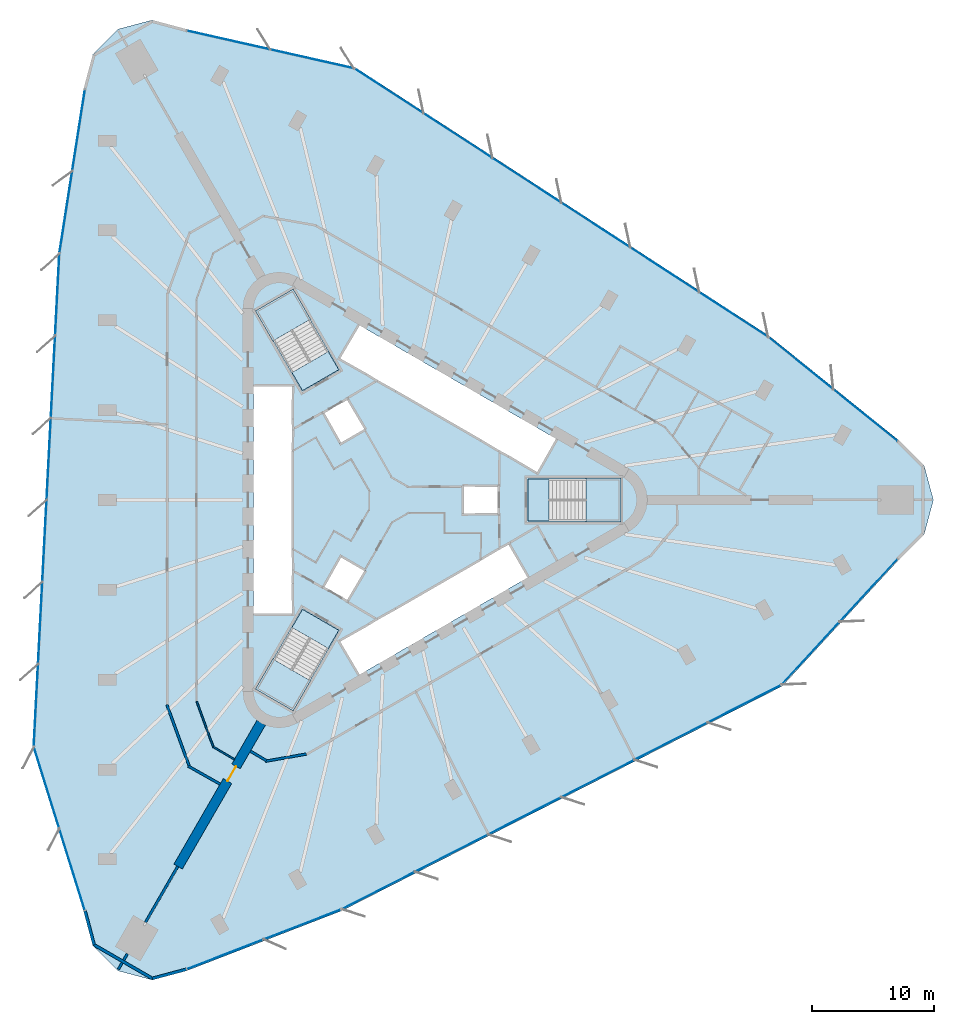
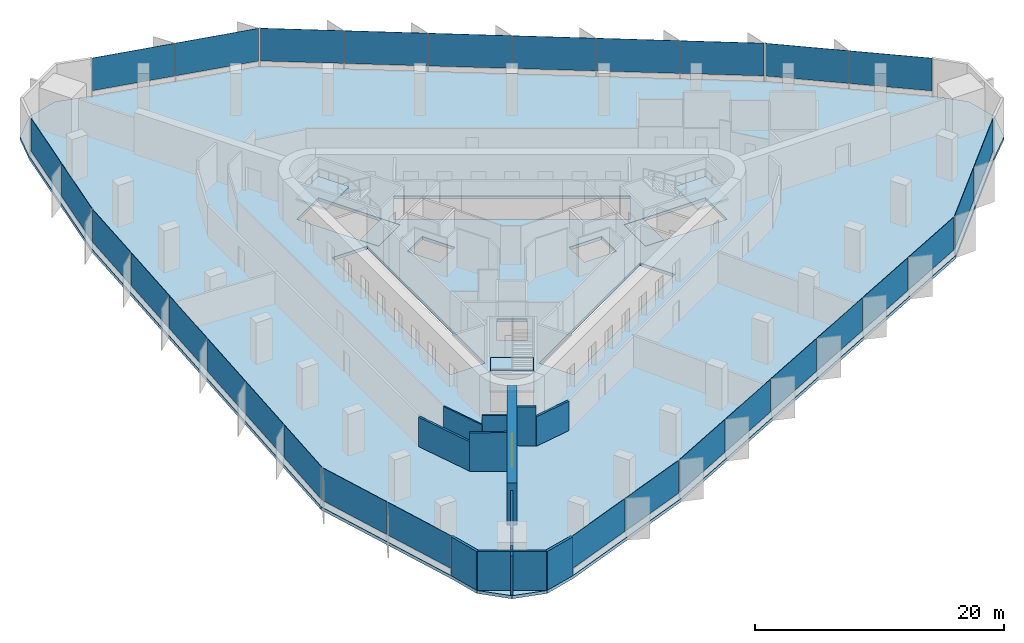
# One storey, part 8 of 14: 30 plates, 13 walls, 7 slabs, 1 door, 1 opening, 12 elements without a shape of their own.
"""IFC4 building model written with IfcOpenShell, lengths in metres."""

import ifcopenshell
import ifcopenshell.guid

model = None  # the IFC model being written
_history = None  # IfcOwnerHistory: only IFC2X3 demands one
_inside = {}  # id of a spatial element -> (the spatial element, [elements in it])
_under = {}  # id of a project, library or spatial element -> (it, [spatial elements below it])
_declared = {}  # id of a project -> (the project, [libraries it declares])
_typed = {}  # id of a type object -> (the type object, [elements of that type])
_made_of = {}  # id of a material, layer set ... -> (it, [elements and type objects made of it])


def new_model(schema):
    """Start an empty IFC model of exactly this schema.

    Asked for "IFC4X3", IfcOpenShell would pick the latest addendum, in which some entities
    have other attributes; the version numbers below select the first issue.
    IFC2X3 requires an IfcOwnerHistory on every rooted entity: one is made here for all.
    """
    global model, _history
    if schema == "IFC4X3":
        model = ifcopenshell.file(schema_version=(4, 3, 0, 0))
    else:
        model = ifcopenshell.file(schema=schema)
    _inside.clear()
    _under.clear()
    _declared.clear()
    _typed.clear()
    _made_of.clear()
    _history = None
    if model.schema == "IFC2X3":
        org = make("IfcOrganization", Name="unknown")
        user = make(
            "IfcPersonAndOrganization",
            ThePerson=make("IfcPerson", FamilyName="unknown"),
            TheOrganization=org,
        )
        app = make(
            "IfcApplication",
            ApplicationDeveloper=org,
            Version="unknown",
            ApplicationFullName="unknown",
            ApplicationIdentifier="unknown",
        )
        _history = make(
            "IfcOwnerHistory",
            OwningUser=user,
            OwningApplication=app,
            ChangeAction="ADDED",
            CreationDate=0,
        )
    return model


def make(cls, **values):
    """One entity of the class cls with the attributes given. An attribute that is None is left unset."""
    return model.create_entity(
        cls, **{name: value for name, value in values.items() if value is not None}
    )


def rooted(cls, **values):
    """An entity with a GlobalId (a new one), such as an element, a storey or a relation."""
    return make(cls, GlobalId=ifcopenshell.guid.new(), OwnerHistory=_history, **values)


def si_unit(unit_type, name, prefix=None):
    """IfcSIUnit, for example si_unit("LENGTHUNIT", "METRE", prefix="MILLI")."""
    return make("IfcSIUnit", UnitType=unit_type, Prefix=prefix, Name=name)


def assignment(units):
    """IfcUnitAssignment: the units of a project."""
    return None if units is None else make("IfcUnitAssignment", Units=units)


def point(xyz):
    """IfcCartesianPoint."""
    return None if xyz is None else make("IfcCartesianPoint", Coordinates=xyz)


def direction(xyz):
    """IfcDirection."""
    return None if xyz is None else make("IfcDirection", DirectionRatios=xyz)


def frame(location, z_axis=None, x_axis=None):
    """IfcAxis2Placement3D, a coordinate frame: its origin and axes. An axis left out is left unset."""
    return make(
        "IfcAxis2Placement3D",
        Location=point(location),
        Axis=direction(z_axis),
        RefDirection=direction(x_axis),
    )


def frame_2d(location, x_axis=None):
    """IfcAxis2Placement2D, a coordinate frame in the plane: its origin and x axis."""
    return make(
        "IfcAxis2Placement2D", Location=point(location), RefDirection=direction(x_axis)
    )


def origin():
    """The frame at (0, 0, 0) with its axes left unset."""
    return frame((0.0, 0.0, 0.0))


def origin_2d():
    """The frame at (0, 0) in the plane with its x axis left unset."""
    return frame_2d((0.0, 0.0))


def place(relative_to, where):
    """IfcLocalPlacement: puts the frame where relative to a parent placement (None: the world)."""
    return make(
        "IfcLocalPlacement", PlacementRelTo=relative_to, RelativePlacement=where
    )


def context(
    kind, dimensions, precision=None, world=None, true_north=None, identifier=None
):
    """IfcGeometricRepresentationContext, for example the 3D "Model" context."""
    return make(
        "IfcGeometricRepresentationContext",
        ContextIdentifier=identifier,
        ContextType=kind,
        CoordinateSpaceDimension=dimensions,
        Precision=precision,
        WorldCoordinateSystem=world,
        TrueNorth=true_north,
    )


def subcontext(parent, identifier, kind, view, scale=None):
    """IfcGeometricRepresentationSubContext, for example "Body" below "Model"."""
    return make(
        "IfcGeometricRepresentationSubContext",
        ContextIdentifier=identifier,
        ContextType=kind,
        ParentContext=parent,
        TargetScale=scale,
        TargetView=view,
    )


def project(units=None, contexts=None):
    """IfcProject with its units and contexts."""
    return rooted(
        "IfcProject",
        Name="project",
        RepresentationContexts=contexts,
        UnitsInContext=assignment(units),
    )


def spatial(cls, under=None, at=None, **own):
    """A site, building, storey or space (cls), placed at a placement, below another one or the project."""
    s = rooted(cls, ObjectPlacement=at, **own)
    if under is not None:
        _under.setdefault(under.id(), (under, []))[1].append(s)
    return s


def polyline(points):
    """IfcPolyline through the points."""
    return make("IfcPolyline", Points=[point(p) for p in points])


def profile(cls, at=None, kind="AREA", **sizes):
    """A parametric profile (cls). Its sizes go by their IFC names, for example OverallWidth=200.0."""
    return make(cls, ProfileType=kind, Position=at, **sizes)


def rectangle(**sizes):
    """IfcRectangleProfileDef."""
    return profile("IfcRectangleProfileDef", **sizes)


def outline(outer, holes=None, kind="AREA"):
    """IfcArbitraryClosedProfileDef: a profile drawn as a closed curve; with holes, ...WithVoids."""
    if holes is None:
        return make("IfcArbitraryClosedProfileDef", ProfileType=kind, OuterCurve=outer)
    return make(
        "IfcArbitraryProfileDefWithVoids",
        ProfileType=kind,
        OuterCurve=outer,
        InnerCurves=holes,
    )


def extrude(swept, where, along, depth):
    """IfcExtrudedAreaSolid: the profile swept, set in the frame where, extruded along a direction by depth."""
    return make(
        "IfcExtrudedAreaSolid",
        SweptArea=swept,
        Position=where,
        ExtrudedDirection=direction(along),
        Depth=depth,
    )


def shape(context_of_items, identifier, shape_type, items):
    """IfcShapeRepresentation: the items that make up one representation, for example the "Body"."""
    return make(
        "IfcShapeRepresentation",
        ContextOfItems=context_of_items,
        RepresentationIdentifier=identifier,
        RepresentationType=shape_type,
        Items=items,
    )


def material(Name=None, Category=None):
    """IfcMaterial."""
    return make("IfcMaterial", Name=Name, Category=Category)


def layer(
    of_material, thickness, ventilated=None, Name=None, Category=None, Priority=None
):
    """IfcMaterialLayer: one layer of a wall or slab, of a material (None: an air gap)."""
    return make(
        "IfcMaterialLayer",
        Material=of_material,
        LayerThickness=thickness,
        IsVentilated=ventilated,
        Name=Name,
        Category=Category,
        Priority=Priority,
    )


def layer_set(layers, Name=None):
    """IfcMaterialLayerSet."""
    return make("IfcMaterialLayerSet", MaterialLayers=layers, LayerSetName=Name)


def made_of(thing, what):
    """Note that an element or type object is made of a material, layer set ...; save() writes the relation."""
    if what is not None:
        _made_of.setdefault(what.id(), (what, []))[1].append(thing)
    return thing


def type_object(cls, material=None, **own):
    """A type object (cls), such as IfcWallType, which elements share."""
    return made_of(rooted(cls, **own), material)


def element(
    cls,
    number,
    at=None,
    inside=None,
    cuts=None,
    type_object=None,
    material=None,
    context=None,
    identifier="Body",
    shape_type=None,
    held_by="IfcProductDefinitionShape",
    body=None,
    shapes=None,
    **own,
):
    """One element of the class cls, such as IfcWall. Its Tag is "e" and its number.

    at: its placement. inside: the storey or other place that contains it. cuts: it is an
    opening in that element (IfcRelVoidsElement). A single representation is given by context,
    identifier, shape_type and body (its items); several are given by shapes. held_by: the class
    of the entity that holds the representations. save() writes the other relations.
    """
    e = rooted(cls, Tag="e%d" % number, ObjectPlacement=at, **own)
    if body is not None:
        shapes = [shape(context, identifier, shape_type, body)]
    if shapes is not None:
        e.Representation = make(held_by, Representations=shapes)
    if inside is not None:
        _inside.setdefault(inside.id(), (inside, []))[1].append(e)
    if cuts is not None:
        rooted(
            "IfcRelVoidsElement", RelatingBuildingElement=cuts, RelatedOpeningElement=e
        )
    if type_object is not None:
        _typed.setdefault(type_object.id(), (type_object, []))[1].append(e)
    return made_of(e, material)


def fill(opening, filler):
    """IfcRelFillsElement: the door or window that sits in an opening."""
    return rooted(
        "IfcRelFillsElement",
        RelatingOpeningElement=opening,
        RelatedBuildingElement=filler,
    )


def aggregate(whole, parts):
    """IfcRelAggregates: a whole, such as a stair, and the parts it consists of."""
    return rooted("IfcRelAggregates", RelatingObject=whole, RelatedObjects=parts)


def save(model, path):
    """Write the relations noted so far, then the file.

    IfcRelAggregates (storeys below a building ...), IfcRelContainedInSpatialStructure (elements
    in a storey), IfcRelDefinesByType, IfcRelAssociatesMaterial and IfcRelDeclares: one each for
    every whole, place, type object, material and project.
    """
    for whole, parts in _under.values():
        aggregate(whole, parts)
    for where, things in _inside.values():
        rooted(
            "IfcRelContainedInSpatialStructure",
            RelatedElements=things,
            RelatingStructure=where,
        )
    for kind, things in _typed.values():
        rooted("IfcRelDefinesByType", RelatedObjects=things, RelatingType=kind)
    for what, things in _made_of.values():
        rooted("IfcRelAssociatesMaterial", RelatedObjects=things, RelatingMaterial=what)
    for by, libraries in _declared.values():
        rooted("IfcRelDeclares", RelatingContext=by, RelatedDefinitions=libraries)
    model.write(path)


model = new_model("IFC4")

# Units and contexts
model_context = context("Model", 3, precision=1e-05, world=origin(), true_north=direction((0.0, 1.0)))
body_context = subcontext(model_context, "Body", "Model", "MODEL_VIEW")
ifc_project = project(units=[si_unit("LENGTHUNIT", "METRE"), si_unit("AREAUNIT", "SQUARE_METRE"), si_unit("VOLUMEUNIT", "CUBIC_METRE"), si_unit("PLANEANGLEUNIT", "RADIAN"), si_unit("MASSUNIT", "GRAM", prefix="KILO")], contexts=[model_context])

# Site, building, storey
site_placement = place(None, origin())
site = spatial("IfcSite", under=ifc_project, at=site_placement, CompositionType="ELEMENT")
building_placement = place(site_placement, origin())
building = spatial("IfcBuilding", under=site, at=building_placement, Name="Tanit Gate Tower", CompositionType="ELEMENT")
storey_placement = place(building_placement, frame((0.0, 0.0, 70.10009765625)))
storey = spatial("IfcBuildingStorey", under=building, at=storey_placement, Name="L13", CompositionType="ELEMENT", Elevation=70.10009765625)

# Slab
ifc_material_1 = material(Name="Concrete C35/45", Category="concrete")
ifc_layer_1 = layer(ifc_material_1, 0.300048828125)
ifc_layer_set_1 = layer_set([ifc_layer_1], Name="FLOOR SLAB 300 C35/45")
slab_type_1 = type_object("IfcSlabType", Name="FLOOR SLAB 300 C35/45", PredefinedType="FLOOR", material=ifc_layer_set_1)
slab_1_placement = place(storey_placement, frame((0.0, 0.0, -0.300048828125)))
element("IfcSlab", 1, at=slab_1_placement, inside=storey, type_object=slab_type_1, Name="FLOOR SLAB L13", PredefinedType="FLOOR", context=body_context, shape_type="SweptSolid", body=[
    extrude(outline(polyline([(41.88818359375, 4.897705078125), (43.958251953125, 2.82763671875), (44.716064453125, 0.0), (43.958251953125, -2.82763671875), (41.88818359375, -4.897705078125), (32.2783203125, -15.314697265625), (-3.930419921875, -33.78564453125), (-16.70263671875, -38.72509765625), (-19.5302734375, -39.48291015625), (-22.35791015625, -38.72509765625), (-24.427978515625, -36.6552734375), (-25.185791015625, -33.827392578125), (-29.40234375, -20.29638671875), (-27.294189453125, 20.29638671875), (-25.185791015625, 33.827392578125), (-24.427978515625, 36.6552734375), (-22.35791015625, 38.72509765625), (-19.5302734375, 39.48291015625), (-16.70263671875, 38.72509765625), (-2.876220703125, 35.611328125), (31.224365234375, 13.489013671875), (41.88818359375, 4.897705078125)]), holes=[polyline([(11.3701171875, 1.72998046875), (18.929931640625, 1.72998046875), (18.929931640625, -1.72998046875), (11.3701171875, -1.72998046875), (11.3701171875, 1.72998046875)]), polyline([(-4.208984375, 11.60986328125), (-2.583984375, 14.424560546875), (13.783935546875, 4.974609375), (12.158935546875, 2.159912109375), (-4.208984375, 11.60986328125)]), polyline([(-4.208984375, -11.60986328125), (9.82080078125, -3.510009765625), (11.44580078125, -6.324462890625), (-2.583984375, -14.424560546875), (-4.208984375, -11.60986328125)]), polyline([(9.0, 1.199951171875), (9.0, -1.199951171875), (6.0, -1.199951171875), (6.0, 1.199951171875), (9.0, 1.199951171875)]), polyline([(-5.539306640625, 7.194091796875), (-3.460693359375, 8.394287109375), (-1.960693359375, 5.796142578125), (-4.039306640625, 4.59619140625), (-5.539306640625, 7.194091796875)]), polyline([(-1.960693359375, -5.796142578125), (-3.460693359375, -8.394287109375), (-5.539306640625, -7.194091796875), (-4.039306640625, -4.59619140625), (-1.960693359375, -5.796142578125)]), polyline([(-10.963134765625, 15.52880859375), (-7.966796875, 17.2587890625), (-4.186767578125, 10.711669921875), (-7.18310546875, 8.981689453125), (-10.963134765625, 15.52880859375)]), polyline([(-4.186767578125, -10.711669921875), (-7.966796875, -17.2587890625), (-10.963134765625, -15.52880859375), (-7.18310546875, -8.981689453125), (-4.186767578125, -10.711669921875)]), polyline([(-11.199951171875, -9.449951171875), (-11.199951171875, 9.449951171875), (-7.949951171875, 9.449951171875), (-7.949951171875, -9.449951171875), (-11.199951171875, -9.449951171875)])]), origin(), (0.0, 0.0, 1.0), 0.300048828125),
])

# Curtain wall, plates
ifc_material_2 = material(Name="Aluminium bronze anodised and glass", Category="aluminium")
curtain_wall_type = type_object("IfcCurtainWallType", Name="Curtain wall typical low", PredefinedType="NOTDEFINED", material=ifc_material_2)
curtain_wall_1_placement = place(storey_placement, origin())
curtain_wall_1 = element("IfcCurtainWall", 2, at=curtain_wall_1_placement, inside=storey, type_object=curtain_wall_type, Name="Curtain wall L13 NE1", PredefinedType="NOTDEFINED")
ifc_material_3 = material(Name="Glass tinted", Category="glass")
ifc_layer_2 = layer(ifc_material_3, 0.031982421875)
ifc_layer_set_2 = layer_set([ifc_layer_2], Name="Glass panel 32 typical low")
plate_type = type_object("IfcPlateType", Name="Glass panel 32 typical low", PredefinedType="CURTAIN_PANEL", material=ifc_layer_set_2)
plate_1_placement = place(storey_placement, frame((39.12890625, 6.966796875, 0.60009765625), z_axis=(0.0, 0.0, 1.0), x_axis=(-0.77871831753, 0.627373717925, 0.0)))
plate_1 = element("IfcPlate", 3, at=plate_1_placement, type_object=plate_type, Name="Glass panel L13 NE1.1", PredefinedType="CURTAIN_PANEL", context=body_context, shape_type="SweptSolid", body=[
    extrude(rectangle(XDim=6.720703125, YDim=0.031982421875, at=origin_2d()), origin(), (0.0, 0.0, 1.0), 3.199951171875),
])
plate_2_placement = place(storey_placement, frame((33.8330078125, 11.2333984375, 0.60009765625), z_axis=(0.0, 0.0, 1.0), x_axis=(-0.77871831753, 0.627373717925, 0.0)))
plate_2 = element("IfcPlate", 4, at=plate_2_placement, type_object=plate_type, Name="Glass panel L13 NE1.2", PredefinedType="CURTAIN_PANEL", context=body_context, shape_type="SweptSolid", body=[
    extrude(rectangle(XDim=6.720947265625, YDim=0.031982421875, at=origin_2d()), origin(), (0.0, 0.0, 1.0), 3.199951171875),
])
aggregate(curtain_wall_1, [plate_1, plate_2])

curtain_wall_2_placement = place(storey_placement, origin())
curtain_wall_2 = element("IfcCurtainWall", 5, at=curtain_wall_2_placement, inside=storey, type_object=curtain_wall_type, Name="Curtain wall L13 NE2", PredefinedType="NOTDEFINED")
plate_3_placement = place(storey_placement, frame((28.2861328125, 15.252197265625, 0.60009765625), z_axis=(0.0, 0.0, 1.0), x_axis=(-0.838927413588, 0.544243323092, 0.0)))
plate_3 = element("IfcPlate", 6, at=plate_3_placement, type_object=plate_type, Name="Glass panel L13 NE2.1", PredefinedType="CURTAIN_PANEL", context=body_context, shape_type="SweptSolid", body=[
    extrude(rectangle(XDim=6.6767578125, YDim=0.031982421875, at=origin_2d()), origin(), (0.0, 0.0, 1.0), 3.199951171875),
])
plate_4_placement = place(storey_placement, frame((22.61767578125, 18.929443359375, 0.60009765625), z_axis=(0.0, 0.0, 1.0), x_axis=(-0.838927413588, 0.544243323092, 0.0)))
plate_4 = element("IfcPlate", 7, at=plate_4_placement, type_object=plate_type, Name="Glass panel L13 NE2.2", PredefinedType="CURTAIN_PANEL", context=body_context, shape_type="SweptSolid", body=[
    extrude(rectangle(XDim=6.6767578125, YDim=0.031982421875, at=origin_2d()), origin(), (0.0, 0.0, 1.0), 3.199951171875),
])
plate_5_placement = place(storey_placement, frame((16.949462890625, 22.606689453125, 0.60009765625), z_axis=(0.0, 0.0, 1.0), x_axis=(-0.838927413588, 0.544243323092, 0.0)))
plate_5 = element("IfcPlate", 8, at=plate_5_placement, type_object=plate_type, Name="Glass panel L13 NE2.3", PredefinedType="CURTAIN_PANEL", context=body_context, shape_type="SweptSolid", body=[
    extrude(rectangle(XDim=6.6767578125, YDim=0.031982421875, at=origin_2d()), origin(), (0.0, 0.0, 1.0), 3.199951171875),
])
plate_6_placement = place(storey_placement, frame((11.281005859375, 26.283935546875, 0.60009765625), z_axis=(0.0, 0.0, 1.0), x_axis=(-0.838927413588, 0.544243323092, 0.0)))
plate_6 = element("IfcPlate", 9, at=plate_6_placement, type_object=plate_type, Name="Glass panel L13 NE2.4", PredefinedType="CURTAIN_PANEL", context=body_context, shape_type="SweptSolid", body=[
    extrude(rectangle(XDim=6.676513671875, YDim=0.031982421875, at=origin_2d()), origin(), (0.0, 0.0, 1.0), 3.199951171875),
])
plate_7_placement = place(storey_placement, frame((5.612548828125, 29.96142578125, 0.60009765625), z_axis=(0.0, 0.0, 1.0), x_axis=(-0.838927413588, 0.544243323092, 0.0)))
plate_7 = element("IfcPlate", 10, at=plate_7_placement, type_object=plate_type, Name="Glass panel L13 NE2.5", PredefinedType="CURTAIN_PANEL", context=body_context, shape_type="SweptSolid", body=[
    extrude(rectangle(XDim=6.6767578125, YDim=0.031982421875, at=origin_2d()), origin(), (0.0, 0.0, 1.0), 3.199951171875),
])
plate_8_placement = place(storey_placement, frame((-0.0556640625, 33.638671875, 0.60009765625), z_axis=(0.0, 0.0, 1.0), x_axis=(-0.838927413588, 0.544243323092, 0.0)))
plate_8 = element("IfcPlate", 11, at=plate_8_placement, type_object=plate_type, Name="Glass panel L13 NE2.6", PredefinedType="CURTAIN_PANEL", context=body_context, shape_type="SweptSolid", body=[
    extrude(rectangle(XDim=6.6767578125, YDim=0.031982421875, at=origin_2d()), origin(), (0.0, 0.0, 1.0), 3.199951171875),
])
aggregate(curtain_wall_2, [plate_3, plate_4, plate_5, plate_6, plate_7, plate_8])

curtain_wall_3_placement = place(storey_placement, origin())
curtain_wall_3 = element("IfcCurtainWall", 12, at=curtain_wall_3_placement, inside=storey, type_object=curtain_wall_type, Name="Curtain wall L13 NE3", PredefinedType="NOTDEFINED")
plate_9_placement = place(storey_placement, frame((-6.39501953125, 36.28076171875, 0.60009765625), z_axis=(0.0, 0.0, 1.0), x_axis=(-0.975566436598, 0.219704637599, 0.0)))
plate_9 = element("IfcPlate", 13, at=plate_9_placement, type_object=plate_type, Name="Glass panel L13 NE3.1", PredefinedType="CURTAIN_PANEL", context=body_context, shape_type="SweptSolid", body=[
    extrude(rectangle(XDim=6.956787109375, YDim=0.031982421875, at=origin_2d()), origin(), (0.0, 0.0, 1.0), 3.199951171875),
])
plate_10_placement = place(storey_placement, frame((-13.259765625, 37.826904296875, 0.60009765625), z_axis=(0.0, 0.0, 1.0), x_axis=(-0.975566436598, 0.219704637599, 0.0)))
plate_10 = element("IfcPlate", 14, at=plate_10_placement, type_object=plate_type, Name="Glass panel L13 NE3.2", PredefinedType="CURTAIN_PANEL", context=body_context, shape_type="SweptSolid", body=[
    extrude(rectangle(XDim=6.956787109375, YDim=0.031982421875, at=origin_2d()), origin(), (0.0, 0.0, 1.0), 3.199951171875),
])
aggregate(curtain_wall_3, [plate_9, plate_10])

curtain_wall_4_placement = place(storey_placement, origin())
curtain_wall_4 = element("IfcCurtainWall", 15, at=curtain_wall_4_placement, inside=storey, type_object=curtain_wall_type, Name="Curtain wall L13 W1", PredefinedType="NOTDEFINED")
plate_11_placement = place(storey_placement, frame((-25.597900390625, 30.4033203125, 0.60009765625), z_axis=(0.0, 0.0, 1.0), x_axis=(-0.153962418624, -0.988076704336, 0.0)))
plate_11 = element("IfcPlate", 16, at=plate_11_placement, type_object=plate_type, Name="Glass panel L13 W1.1", PredefinedType="CURTAIN_PANEL", context=body_context, shape_type="SweptSolid", body=[
    extrude(rectangle(XDim=6.720703125, YDim=0.031982421875, at=origin_2d()), origin(), (0.0, 0.0, 1.0), 3.199951171875),
])
plate_12_placement = place(storey_placement, frame((-26.644775390625, 23.68359375, 0.60009765625), z_axis=(0.0, 0.0, 1.0), x_axis=(-0.153962418624, -0.988076704336, 0.0)))
plate_12 = element("IfcPlate", 17, at=plate_12_placement, type_object=plate_type, Name="Glass panel L13 W1.2", PredefinedType="CURTAIN_PANEL", context=body_context, shape_type="SweptSolid", body=[
    extrude(rectangle(XDim=6.720947265625, YDim=0.031982421875, at=origin_2d()), origin(), (0.0, 0.0, 1.0), 3.199951171875),
])
aggregate(curtain_wall_4, [plate_11, plate_12])

curtain_wall_5_placement = place(storey_placement, origin())
curtain_wall_5 = element("IfcCurtainWall", 18, at=curtain_wall_5_placement, inside=storey, type_object=curtain_wall_type, Name="Curtain wall L13 W2", PredefinedType="NOTDEFINED")
plate_13_placement = place(storey_placement, frame((-27.351806640625, 16.870361328125, 0.60009765625), z_axis=(0.0, 0.0, 1.0), x_axis=(-0.051864836844, -0.998654113645, 0.0)))
plate_13 = element("IfcPlate", 19, at=plate_13_placement, type_object=plate_type, Name="Glass panel L13 W2.1", PredefinedType="CURTAIN_PANEL", context=body_context, shape_type="SweptSolid", body=[
    extrude(rectangle(XDim=6.6767578125, YDim=0.031982421875, at=origin_2d()), origin(), (0.0, 0.0, 1.0), 3.199951171875),
])
plate_14_placement = place(storey_placement, frame((-27.702392578125, 10.122802734375, 0.60009765625), z_axis=(0.0, 0.0, 1.0), x_axis=(-0.051864836844, -0.998654113645, 0.0)))
plate_14 = element("IfcPlate", 20, at=plate_14_placement, type_object=plate_type, Name="Glass panel L13 W2.2", PredefinedType="CURTAIN_PANEL", context=body_context, shape_type="SweptSolid", body=[
    extrude(rectangle(XDim=6.6767578125, YDim=0.031982421875, at=origin_2d()), origin(), (0.0, 0.0, 1.0), 3.199951171875),
])
plate_15_placement = place(storey_placement, frame((-28.052734375, 3.375244140625, 0.60009765625), z_axis=(0.0, 0.0, 1.0), x_axis=(-0.051864836844, -0.998654113645, 0.0)))
plate_15 = element("IfcPlate", 21, at=plate_15_placement, type_object=plate_type, Name="Glass panel L13 W2.3", PredefinedType="CURTAIN_PANEL", context=body_context, shape_type="SweptSolid", body=[
    extrude(rectangle(XDim=6.6767578125, YDim=0.031982421875, at=origin_2d()), origin(), (0.0, 0.0, 1.0), 3.199951171875),
])
plate_16_placement = place(storey_placement, frame((-28.403076171875, -3.372314453125, 0.60009765625), z_axis=(0.0, 0.0, 1.0), x_axis=(-0.051864836844, -0.998654113645, 0.0)))
plate_16 = element("IfcPlate", 22, at=plate_16_placement, type_object=plate_type, Name="Glass panel L13 W2.4", PredefinedType="CURTAIN_PANEL", context=body_context, shape_type="SweptSolid", body=[
    extrude(rectangle(XDim=6.676513671875, YDim=0.031982421875, at=origin_2d()), origin(), (0.0, 0.0, 1.0), 3.199951171875),
])
plate_17_placement = place(storey_placement, frame((-28.753662109375, -10.119873046875, 0.60009765625), z_axis=(0.0, 0.0, 1.0), x_axis=(-0.051864836844, -0.998654113645, 0.0)))
plate_17 = element("IfcPlate", 23, at=plate_17_placement, type_object=plate_type, Name="Glass panel L13 W2.5", PredefinedType="CURTAIN_PANEL", context=body_context, shape_type="SweptSolid", body=[
    extrude(rectangle(XDim=6.6767578125, YDim=0.031982421875, at=origin_2d()), origin(), (0.0, 0.0, 1.0), 3.199951171875),
])
plate_18_placement = place(storey_placement, frame((-29.10400390625, -16.867431640625, 0.60009765625), z_axis=(0.0, 0.0, 1.0), x_axis=(-0.051864836844, -0.998654113645, 0.0)))
plate_18 = element("IfcPlate", 24, at=plate_18_placement, type_object=plate_type, Name="Glass panel L13 W2.6", PredefinedType="CURTAIN_PANEL", context=body_context, shape_type="SweptSolid", body=[
    extrude(rectangle(XDim=6.6767578125, YDim=0.031982421875, at=origin_2d()), origin(), (0.0, 0.0, 1.0), 3.199951171875),
])
aggregate(curtain_wall_5, [plate_13, plate_14, plate_15, plate_16, plate_17, plate_18])

curtain_wall_6_placement = place(storey_placement, origin())
curtain_wall_6 = element("IfcCurtainWall", 25, at=curtain_wall_6_placement, inside=storey, type_object=curtain_wall_type, Name="Curtain wall L13 W3", PredefinedType="NOTDEFINED")
plate_19_placement = place(storey_placement, frame((-28.22265625, -23.6787109375, 0.60009765625), z_axis=(0.0, 0.0, 1.0), x_axis=(0.297513420809, -0.954717635973, 0.0)))
plate_19 = element("IfcPlate", 26, at=plate_19_placement, type_object=plate_type, Name="Glass panel L13 W3.1", PredefinedType="CURTAIN_PANEL", context=body_context, shape_type="SweptSolid", body=[
    extrude(rectangle(XDim=6.956787109375, YDim=0.031982421875, at=origin_2d()), origin(), (0.0, 0.0, 1.0), 3.199951171875),
])
plate_20_placement = place(storey_placement, frame((-26.129150390625, -30.396728515625, 0.60009765625), z_axis=(0.0, 0.0, 1.0), x_axis=(0.297513420809, -0.954717635973, 0.0)))
plate_20 = element("IfcPlate", 27, at=plate_20_placement, type_object=plate_type, Name="Glass panel L13 W3.2", PredefinedType="CURTAIN_PANEL", context=body_context, shape_type="SweptSolid", body=[
    extrude(rectangle(XDim=6.956787109375, YDim=0.031982421875, at=origin_2d()), origin(), (0.0, 0.0, 1.0), 3.199951171875),
])
aggregate(curtain_wall_6, [plate_19, plate_20])

curtain_wall_7_placement = place(storey_placement, origin())
curtain_wall_7 = element("IfcCurtainWall", 28, at=curtain_wall_7_placement, inside=storey, type_object=curtain_wall_type, Name="Curtain wall L13 SE1", PredefinedType="NOTDEFINED")
plate_21_placement = place(storey_placement, frame((-13.53125, -37.369873046875, 0.60009765625), z_axis=(0.0, 0.0, 1.0), x_axis=(0.932680736155, 0.360702986411, 0.0)))
plate_21 = element("IfcPlate", 29, at=plate_21_placement, type_object=plate_type, Name="Glass panel L13 SE1.1", PredefinedType="CURTAIN_PANEL", context=body_context, shape_type="SweptSolid", body=[
    extrude(rectangle(XDim=6.720703125, YDim=0.031982421875, at=origin_2d()), origin(), (0.0, 0.0, 1.0), 3.199951171875),
])
plate_22_placement = place(storey_placement, frame((-7.188232421875, -34.9169921875, 0.60009765625), z_axis=(0.0, 0.0, 1.0), x_axis=(0.932680736155, 0.360702986411, 0.0)))
plate_22 = element("IfcPlate", 30, at=plate_22_placement, type_object=plate_type, Name="Glass panel L13 SE1.2", PredefinedType="CURTAIN_PANEL", context=body_context, shape_type="SweptSolid", body=[
    extrude(rectangle(XDim=6.720947265625, YDim=0.031982421875, at=origin_2d()), origin(), (0.0, 0.0, 1.0), 3.199951171875),
])
aggregate(curtain_wall_7, [plate_21, plate_22])

curtain_wall_8_placement = place(storey_placement, origin())
curtain_wall_8 = element("IfcCurtainWall", 31, at=curtain_wall_8_placement, inside=storey, type_object=curtain_wall_type, Name="Curtain wall L13 SE2", PredefinedType="NOTDEFINED")
plate_23_placement = place(storey_placement, frame((-0.934326171875, -32.12255859375, 0.60009765625), z_axis=(0.0, 0.0, 1.0), x_axis=(0.890792250432, 0.454410790552, 0.0)))
plate_23 = element("IfcPlate", 32, at=plate_23_placement, type_object=plate_type, Name="Glass panel L13 SE2.1", PredefinedType="CURTAIN_PANEL", context=body_context, shape_type="SweptSolid", body=[
    extrude(rectangle(XDim=6.6767578125, YDim=0.031982421875, at=origin_2d()), origin(), (0.0, 0.0, 1.0), 3.199951171875),
])
plate_24_placement = place(storey_placement, frame((5.08447265625, -29.05224609375, 0.60009765625), z_axis=(0.0, 0.0, 1.0), x_axis=(0.890792250432, 0.454410790552, 0.0)))
plate_24 = element("IfcPlate", 33, at=plate_24_placement, type_object=plate_type, Name="Glass panel L13 SE2.2", PredefinedType="CURTAIN_PANEL", context=body_context, shape_type="SweptSolid", body=[
    extrude(rectangle(XDim=6.6767578125, YDim=0.031982421875, at=origin_2d()), origin(), (0.0, 0.0, 1.0), 3.199951171875),
])
plate_25_placement = place(storey_placement, frame((11.103271484375, -25.98193359375, 0.60009765625), z_axis=(0.0, 0.0, 1.0), x_axis=(0.890792250432, 0.454410790552, 0.0)))
plate_25 = element("IfcPlate", 34, at=plate_25_placement, type_object=plate_type, Name="Glass panel L13 SE2.3", PredefinedType="CURTAIN_PANEL", context=body_context, shape_type="SweptSolid", body=[
    extrude(rectangle(XDim=6.6767578125, YDim=0.031982421875, at=origin_2d()), origin(), (0.0, 0.0, 1.0), 3.199951171875),
])
plate_26_placement = place(storey_placement, frame((17.1220703125, -22.91162109375, 0.60009765625), z_axis=(0.0, 0.0, 1.0), x_axis=(0.890792250432, 0.454410790552, 0.0)))
plate_26 = element("IfcPlate", 35, at=plate_26_placement, type_object=plate_type, Name="Glass panel L13 SE2.4", PredefinedType="CURTAIN_PANEL", context=body_context, shape_type="SweptSolid", body=[
    extrude(rectangle(XDim=6.676513671875, YDim=0.031982421875, at=origin_2d()), origin(), (0.0, 0.0, 1.0), 3.199951171875),
])
plate_27_placement = place(storey_placement, frame((23.140869140625, -19.84130859375, 0.60009765625), z_axis=(0.0, 0.0, 1.0), x_axis=(0.890792250432, 0.454410790552, 0.0)))
plate_27 = element("IfcPlate", 36, at=plate_27_placement, type_object=plate_type, Name="Glass panel L13 SE2.5", PredefinedType="CURTAIN_PANEL", context=body_context, shape_type="SweptSolid", body=[
    extrude(rectangle(XDim=6.6767578125, YDim=0.031982421875, at=origin_2d()), origin(), (0.0, 0.0, 1.0), 3.199951171875),
])
plate_28_placement = place(storey_placement, frame((29.15966796875, -16.77099609375, 0.60009765625), z_axis=(0.0, 0.0, 1.0), x_axis=(0.890792250432, 0.454410790552, 0.0)))
plate_28 = element("IfcPlate", 37, at=plate_28_placement, type_object=plate_type, Name="Glass panel L13 SE2.6", PredefinedType="CURTAIN_PANEL", context=body_context, shape_type="SweptSolid", body=[
    extrude(rectangle(XDim=6.6767578125, YDim=0.031982421875, at=origin_2d()), origin(), (0.0, 0.0, 1.0), 3.199951171875),
])
aggregate(curtain_wall_8, [plate_23, plate_24, plate_25, plate_26, plate_27, plate_28])

curtain_wall_9_placement = place(storey_placement, origin())
curtain_wall_9 = element("IfcCurtainWall", 38, at=curtain_wall_9_placement, inside=storey, type_object=curtain_wall_type, Name="Curtain wall L13 SE3", PredefinedType="NOTDEFINED")
plate_29_placement = place(storey_placement, frame((34.61767578125, -12.602294921875, 0.60009765625), z_axis=(0.0, 0.0, 1.0), x_axis=(0.678053015789, 0.735012998374, 0.0)))
plate_29 = element("IfcPlate", 39, at=plate_29_placement, type_object=plate_type, Name="Glass panel L13 SE3.1", PredefinedType="CURTAIN_PANEL", context=body_context, shape_type="SweptSolid", body=[
    extrude(rectangle(XDim=6.956787109375, YDim=0.031982421875, at=origin_2d()), origin(), (0.0, 0.0, 1.0), 3.199951171875),
])
plate_30_placement = place(storey_placement, frame((39.388916015625, -7.429931640625, 0.60009765625), z_axis=(0.0, 0.0, 1.0), x_axis=(0.678053015789, 0.735012998374, 0.0)))
plate_30 = element("IfcPlate", 40, at=plate_30_placement, type_object=plate_type, Name="Glass panel L13 SE3.2", PredefinedType="CURTAIN_PANEL", context=body_context, shape_type="SweptSolid", body=[
    extrude(rectangle(XDim=6.956787109375, YDim=0.031982421875, at=origin_2d()), origin(), (0.0, 0.0, 1.0), 3.199951171875),
])
aggregate(curtain_wall_9, [plate_29, plate_30])

# Stair, slab
ifc_material_4 = material(Name="Concrete C40/50", Category="concrete")
stair_type = type_object("IfcStairType", Name="INT-STAIR-EXIT", PredefinedType="HALF_TURN_STAIR", material=ifc_material_4)
stair_1_placement = place(storey_placement, origin())
stair_1 = element("IfcStair", 41, at=stair_1_placement, inside=storey, type_object=stair_type, Name="L13 STAIR S1", PredefinedType="HALF_TURN_STAIR")
ifc_material_5 = material(Name="Concrete C40/50", Category="concrete")
ifc_layer_3 = layer(ifc_material_5, 0.199951171875)
ifc_layer_set_3 = layer_set([ifc_layer_3], Name="INT-STAIR-LANDING")
slab_type_2 = type_object("IfcSlabType", Name="INT-STAIR-LANDING", PredefinedType="LANDING", material=ifc_layer_set_3)
slab_2_placement = place(storey_placement, frame((0.0, 0.0, 1.849853515625)))
slab_2 = element("IfcSlab", 42, at=slab_2_placement, type_object=slab_type_2, Name="S1 landing 1", PredefinedType="LANDING", context=body_context, shape_type="SweptSolid", body=[
    extrude(outline(polyline([(16.135986328125, -1.800048828125), (19.0, -1.800048828125), (19.0, 1.800048828125), (16.135986328125, 1.800048828125), (16.135986328125, -1.800048828125)])), origin(), (0.0, 0.0, 1.0), 0.199951171875),
])
aggregate(stair_1, [slab_2])

# Slab
slab_3_placement = place(storey_placement, frame((0.0, 0.0, -0.2001953125)))
element("IfcSlab", 43, at=slab_3_placement, inside=storey, type_object=slab_type_2, Name="S1 floor landing", PredefinedType="LANDING", context=body_context, shape_type="SweptSolid", body=[
    extrude(outline(polyline([(11.3798828125, -1.719970703125), (13.10498046875, -1.719970703125), (13.10498046875, 1.719970703125), (11.3798828125, 1.719970703125), (11.3798828125, -1.719970703125)])), origin(), (0.0, 0.0, 1.0), 0.2001953125),
])

# Stair, slab
stair_2_placement = place(storey_placement, origin())
stair_2 = element("IfcStair", 44, at=stair_2_placement, inside=storey, type_object=stair_type, Name="L13 STAIR S2", PredefinedType="HALF_TURN_STAIR")
slab_4_placement = place(storey_placement, frame((0.0, 0.0, 1.849853515625)))
slab_4 = element("IfcSlab", 45, at=slab_4_placement, type_object=slab_type_2, Name="S2 landing 1", PredefinedType="LANDING", context=body_context, shape_type="SweptSolid", body=[
    extrude(outline(polyline([(-6.5078125, 14.871826171875), (-7.941162109375, 17.3544921875), (-11.058837890625, 15.554443359375), (-9.62548828125, 13.07177734375), (-6.5078125, 14.871826171875)])), origin(), (0.0, 0.0, 1.0), 0.199951171875),
])
aggregate(stair_2, [slab_4])

# Slab
slab_5_placement = place(storey_placement, frame((0.0, 0.0, -0.2001953125)))
element("IfcSlab", 46, at=slab_5_placement, inside=storey, type_object=slab_type_2, Name="S2 floor landing", PredefinedType="LANDING", context=body_context, shape_type="SweptSolid", body=[
    extrude(outline(polyline([(-4.200439453125, 10.71533203125), (-5.0625, 12.20849609375), (-8.04150390625, 10.48828125), (-7.179443359375, 8.995361328125), (-4.200439453125, 10.71533203125)])), origin(), (0.0, 0.0, 1.0), 0.2001953125),
])

# Stair, slab
stair_3_placement = place(storey_placement, origin())
stair_3 = element("IfcStair", 47, at=stair_3_placement, inside=storey, type_object=stair_type, Name="L13 STAIR S3", PredefinedType="HALF_TURN_STAIR")
slab_6_placement = place(storey_placement, frame((0.0, 0.0, 1.849853515625)))
slab_6 = element("IfcSlab", 48, at=slab_6_placement, type_object=slab_type_2, Name="S3 landing 1", PredefinedType="LANDING", context=body_context, shape_type="SweptSolid", body=[
    extrude(outline(polyline([(-9.626953125, -13.07421875), (-11.058837890625, -15.554443359375), (-7.941162109375, -17.3544921875), (-6.509033203125, -14.874267578125), (-9.626953125, -13.07421875)])), origin(), (0.0, 0.0, 1.0), 0.199951171875),
])
aggregate(stair_3, [slab_6])

# Slab
slab_7_placement = place(storey_placement, frame((0.0, 0.0, -0.2001953125)))
element("IfcSlab", 49, at=slab_7_placement, inside=storey, type_object=slab_type_2, Name="S3 floor landing", PredefinedType="LANDING", context=body_context, shape_type="SweptSolid", body=[
    extrude(outline(polyline([(-7.179443359375, -8.995361328125), (-8.0419921875, -10.4892578125), (-5.06298828125, -12.209228515625), (-4.200439453125, -10.71533203125), (-7.179443359375, -8.995361328125)])), origin(), (0.0, 0.0, 1.0), 0.2001953125),
])

# Wall, opening, door
ifc_material_6 = material(Name="Concrete C60/75", Category="concrete")
ifc_layer_4 = layer(ifc_material_6, 0.800048828125)
ifc_layer_set_4 = layer_set([ifc_layer_4], Name="BUTTRESS FIN 800 C60/75")
wall_type_1 = type_object("IfcWallType", Name="BUTTRESS FIN 800 C60/75", PredefinedType="SHEAR", material=ifc_layer_set_4)
wall_1_placement = place(storey_placement, frame((-10.574951171875, -18.31640625, 0.0), z_axis=(0.0, 0.0, 1.0), x_axis=(-0.499998162141, -0.86602646487, 0.0)))
wall_1 = element("IfcWall", 50, at=wall_1_placement, inside=storey, type_object=wall_type_1, Name="BUTTRESS FIN", PredefinedType="SHEAR", context=body_context, shape_type="SweptSolid", body=[
    extrude(rectangle(XDim=13.66943359375, YDim=0.800048828125, at=frame_2d((6.834716796875, 0.0))), origin(), (0.0, 0.0, 1.0), 4.099853515625),
])
opening_placement = place(wall_1_placement, frame((4.14990234375, 0.0, 0.0)))
opening = element("IfcOpeningElement", 51, at=opening_placement, cuts=wall_1, Name="Opening P14-S02-F-SW-1", PredefinedType="OPENING", context=body_context, shape_type="SweptSolid", body=[
    extrude(rectangle(XDim=1.39990234375, YDim=2.39990234375, at=frame_2d((0.699951171875, 1.199951171875))), frame((0.0, 0.41015625, 0.0), z_axis=(0.0, -1.0, 0.0), x_axis=(1.0, 0.0, 0.0)), (0.0, 0.0, 1.0), 0.820068359375),
])
ifc_material_7 = material(Name="Timber door leaf", Category="wood")
door_type = type_object("IfcDoorType", Name="INT-DOOR-FIN-PAIR-1400", OperationType="NOTDEFINED", PredefinedType="NOTDEFINED", material=ifc_material_7)
door_placement = place(opening_placement, origin())
door = element("IfcDoor", 52, at=door_placement, inside=storey, type_object=door_type, Name="Door P14-S02-F-SW-1", OperationType="DOUBLE_DOOR_SINGLE_SWING", OverallHeight=2.39990234375, OverallWidth=1.39990234375, PredefinedType="NOTDEFINED", context=body_context, shape_type="SweptSolid", body=[
    extrude(rectangle(XDim=1.39990234375, YDim=2.39990234375, at=frame_2d((0.699951171875, 1.199951171875))), frame((0.0, 0.02490234375, 0.0), z_axis=(0.0, -1.0, 0.0), x_axis=(1.0, 0.0, 0.0)), (0.0, 0.0, 1.0), 0.050048828125),
])
fill(opening, door)

# Walls
ifc_material_8 = material(Name="Concrete C30/37 with bronze anodised aluminium cladding", Category="concrete")
ifc_layer_5 = layer(ifc_material_8, 0.239990234375)
ifc_layer_set_5 = layer_set([ifc_layer_5], Name="Facade wall bronze clad 240")
wall_type_2 = type_object("IfcWallType", Name="Facade wall bronze clad 240", PredefinedType="SOLIDWALL", material=ifc_layer_set_5)
wall_2_placement = place(storey_placement, frame((-25.0703125, -33.794189453125, 0.0), z_axis=(0.0, 0.0, 1.0), x_axis=(0.258837161991, -0.965920971701, 0.0)))
element("IfcWall", 53, at=wall_2_placement, inside=storey, type_object=wall_type_2, Name="Bronze-clad facade wall L13 SW.arc1", PredefinedType="SOLIDWALL", context=body_context, shape_type="SweptSolid", body=[
    extrude(rectangle(XDim=2.8974609375, YDim=0.239990234375, at=frame_2d((1.44873046875, 0.0))), origin(), (0.0, 0.0, 1.0), 3.7998046875),
])
wall_3_placement = place(storey_placement, frame((-24.3203125, -36.593017578125, 0.0), z_axis=(0.0, 0.0, 1.0), x_axis=(0.866017993231, -0.500012835235, 0.0)))
element("IfcWall", 54, at=wall_3_placement, inside=storey, type_object=wall_type_2, Name="Bronze-clad facade wall L13 SW.arc2", PredefinedType="SOLIDWALL", context=body_context, shape_type="SweptSolid", body=[
    extrude(rectangle(XDim=5.531005859375, YDim=0.239990234375, at=frame_2d((2.765625, 0.0))), origin(), (0.0, 0.0, 1.0), 3.7998046875),
])
wall_4_placement = place(storey_placement, frame((-19.5302734375, -39.358642578125, 0.0), z_axis=(0.0, 0.0, 1.0), x_axis=(0.965912964575, 0.258867040904, 0.0)))
element("IfcWall", 55, at=wall_4_placement, inside=storey, type_object=wall_type_2, Name="Bronze-clad facade wall L13 SW.arc3", PredefinedType="SOLIDWALL", context=body_context, shape_type="SweptSolid", body=[
    extrude(rectangle(XDim=2.888671875, YDim=0.239990234375, at=frame_2d((1.4443359375, 0.0))), origin(), (0.0, 0.0, 1.0), 3.7998046875),
])
ifc_material_9 = material(Name="Fire-rated gypsum board partition")
ifc_layer_6 = layer(ifc_material_9, 0.199951171875)
ifc_layer_set_6 = layer_set([ifc_layer_6], Name="INT-WALL-COMPARTMENT")
wall_type_3 = type_object("IfcWallType", Name="INT-WALL-COMPARTMENT", PredefinedType="PARTITIONING", material=ifc_layer_set_6)
wall_5_placement = place(storey_placement, frame((-16.576416015625, -21.89208984375, 0.0), z_axis=(0.0, 0.0, 1.0), x_axis=(0.870559817111, -0.492062602553, 0.0)))
element("IfcWall", 56, at=wall_5_placement, inside=storey, type_object=wall_type_3, Name="Wall Compartment W088", PredefinedType="PARTITIONING", context=body_context, shape_type="SweptSolid", body=[
    extrude(rectangle(XDim=3.009765625, YDim=0.199951171875, at=frame_2d((1.5048828125, 0.0))), origin(), (0.0, 0.0, 1.0), 3.7998046875),
])
wall_6_placement = place(storey_placement, frame((-18.334228515625, -16.84033203125, 0.0), z_axis=(0.0, 0.0, 1.0), x_axis=(0.342015877493, -0.939694173411, 0.0)))
element("IfcWall", 57, at=wall_6_placement, inside=storey, type_object=wall_type_3, Name="Wall Compartment W089", PredefinedType="PARTITIONING", context=body_context, shape_type="SweptSolid", body=[
    extrude(rectangle(XDim=5.388671875, YDim=0.199951171875, at=frame_2d((2.6943359375, 0.0))), origin(), (0.0, 0.0, 1.0), 2.8798828125),
])
wall_7_placement = place(storey_placement, frame((-10.22021484375, -21.489501953125, 0.0), z_axis=(0.0, 0.0, 1.0), x_axis=(0.984805188344, 0.173662721995, 0.0)))
element("IfcWall", 58, at=wall_7_placement, inside=storey, type_object=wall_type_3, Name="Wall Compartment W107", PredefinedType="PARTITIONING", context=body_context, shape_type="SweptSolid", body=[
    extrude(rectangle(XDim=3.40771484375, YDim=0.199951171875, at=frame_2d((1.703857421875, 0.0))), origin(), (0.0, 0.0, 1.0), 2.8798828125),
])
wall_8_placement = place(storey_placement, frame((-11.46484375, -20.657470703125, 0.0), z_axis=(0.0, 0.0, 1.0), x_axis=(0.858376755127, -0.513019830276, 0.0)))
element("IfcWall", 59, at=wall_8_placement, inside=storey, type_object=wall_type_3, Name="Wall Compartment W108", PredefinedType="PARTITIONING", context=body_context, shape_type="SweptSolid", body=[
    extrude(rectangle(XDim=1.533203125, YDim=0.199951171875, at=frame_2d((0.7666015625, 0.0))), origin(), (0.0, 0.0, 1.0), 3.7998046875),
])
wall_9_placement = place(storey_placement, frame((-22.31787109375, -38.595703125, 0.0), z_axis=(0.0, 0.0, 1.0), x_axis=(0.500078582497, 0.865980029404, 0.0)))
element("IfcWall", 60, at=wall_9_placement, inside=storey, type_object=wall_type_3, Name="Wall Compartment W110", PredefinedType="PARTITIONING", context=body_context, shape_type="SweptSolid", body=[
    extrude(rectangle(XDim=0.61328125, YDim=0.199951171875, at=frame_2d((0.306640625, 0.0))), origin(), (0.0, 0.0, 1.0), 3.7998046875),
])
wall_10_placement = place(storey_placement, frame((-21.891357421875, -37.85693359375, 0.0), z_axis=(0.0, 0.0, 1.0), x_axis=(0.49994015576, 0.866059952115, 0.0)))
element("IfcWall", 61, at=wall_10_placement, inside=storey, type_object=wall_type_3, Name="Wall Compartment W110x1", PredefinedType="PARTITIONING", context=body_context, shape_type="SweptSolid", body=[
    extrude(rectangle(XDim=0.61474609375, YDim=0.199951171875, at=frame_2d((0.307373046875, 0.0))), origin(), (0.0, 0.0, 1.0), 3.7998046875),
])
wall_11_placement = place(storey_placement, frame((-20.083984375, -34.7265625, 0.0), z_axis=(0.0, 0.0, 1.0), x_axis=(0.499991120112, 0.86603053053, 0.0)))
element("IfcWall", 62, at=wall_11_placement, inside=storey, type_object=wall_type_3, Name="Wall Compartment W111", PredefinedType="PARTITIONING", context=body_context, shape_type="SweptSolid", body=[
    extrude(rectangle(XDim=5.29638671875, YDim=0.199951171875, at=frame_2d((2.648193359375, 0.0))), origin(), (0.0, 0.0, 1.0), 3.369873046875),
])
ifc_material_10 = material(Name="Gypsum board partition")
ifc_layer_7 = layer(ifc_material_10, 0.1201171875)
ifc_layer_set_7 = layer_set([ifc_layer_7], Name="INT-WALL-PARTITION")
wall_type_4 = type_object("IfcWallType", Name="INT-WALL-PARTITION", PredefinedType="PARTITIONING", material=ifc_layer_set_7)
wall_12_placement = place(storey_placement, frame((-15.87939453125, -16.5673828125, 0.0), z_axis=(0.0, 0.0, 1.0), x_axis=(0.341999322503, -0.939700198685, 0.0)))
element("IfcWall", 63, at=wall_12_placement, inside=storey, type_object=wall_type_4, Name="Wall Partition W086", PredefinedType="PARTITIONING", context=body_context, shape_type="SweptSolid", body=[
    extrude(rectangle(XDim=4.053955078125, YDim=0.1201171875, at=frame_2d((2.02685546875, 0.0))), origin(), (0.0, 0.0, 1.0), 2.8798828125),
])
wall_13_placement = place(storey_placement, frame((-14.494140625, -20.322021484375, 0.0), z_axis=(0.0, 0.0, 1.0), x_axis=(0.859745408261, -0.510722853389, 0.0)))
element("IfcWall", 64, at=wall_13_placement, inside=storey, type_object=wall_type_4, Name="Wall Partition W087", PredefinedType="PARTITIONING", context=body_context, shape_type="SweptSolid", body=[
    extrude(rectangle(XDim=1.991455078125, YDim=0.1201171875, at=frame_2d((0.99560546875, 0.0))), origin(), (0.0, 0.0, 1.0), 3.7998046875),
])

save(model, "model.ifc")
